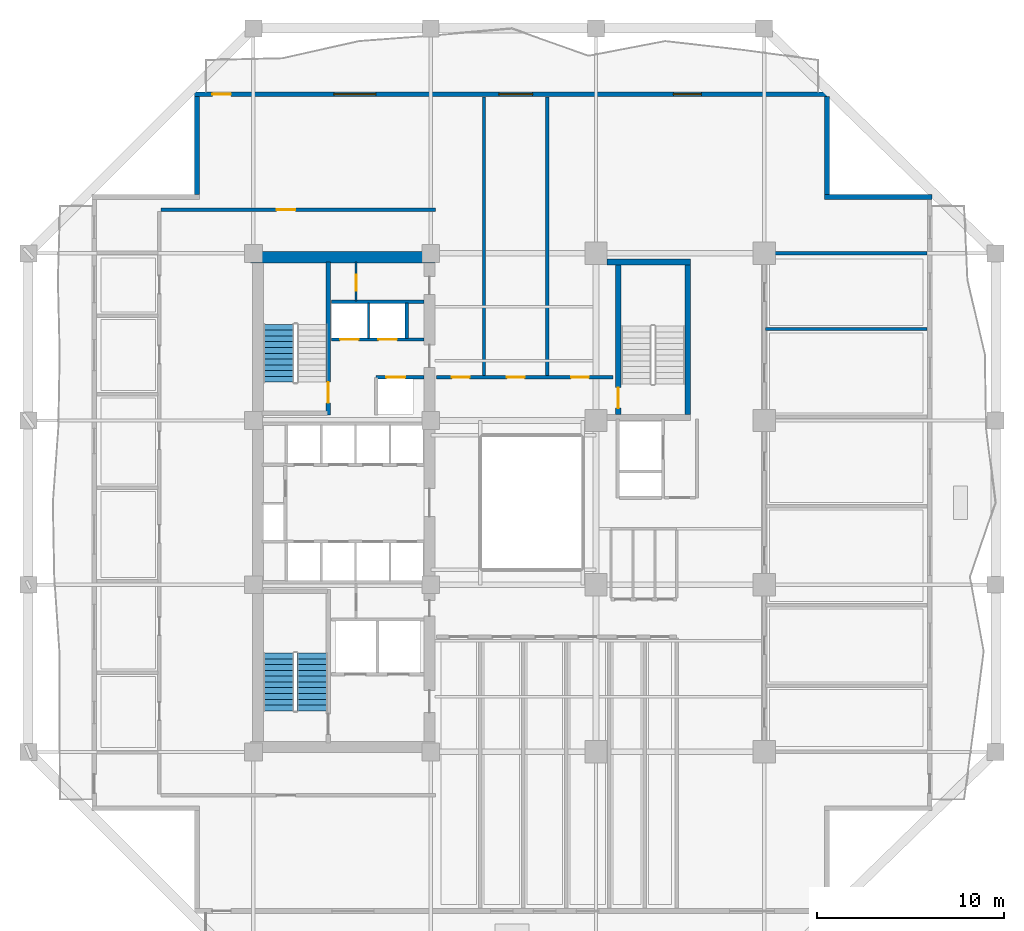
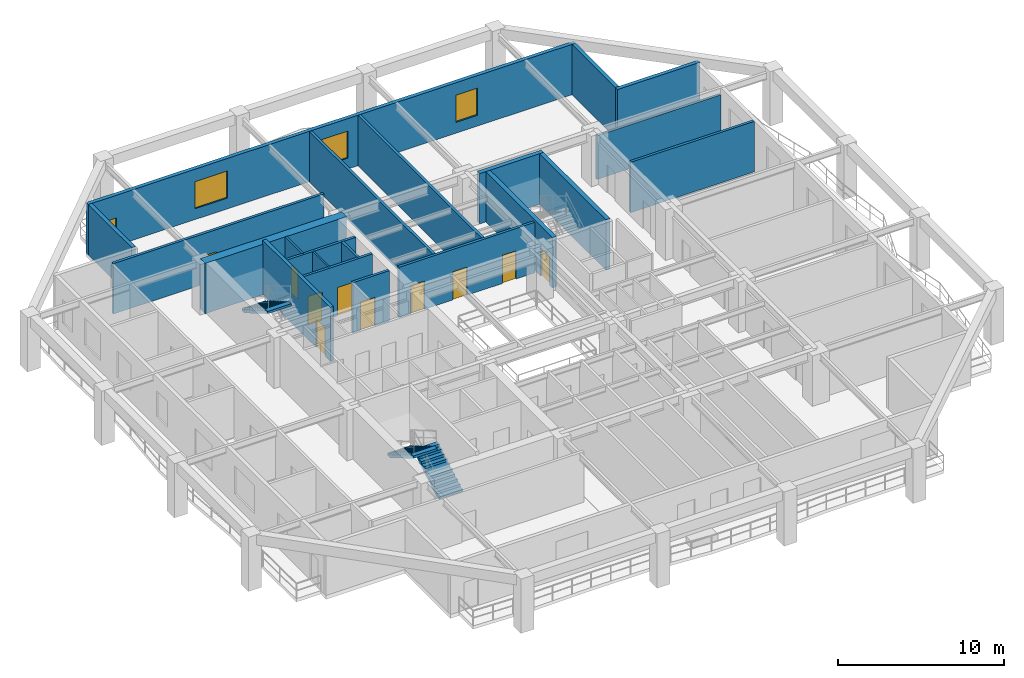
# One storey, part 6 of 14: 21 walls, 11 doors, 3 stair flights, 3 windows, 14 openings, 2 elements without a shape of their own.
"""IFC4 building model written with IfcOpenShell, lengths in metres."""

from ifc_helpers import new_model, si_unit, direction, frame, frame_2d, origin, place, context, subcontext, project, spatial, polyline, rectangle, outline, extrude, material, layer, layer_set, type_object, element, fill, aggregate, save


model = new_model("IFC4")

# Units and contexts
model_context = context("Model", 3, precision=1e-05, world=origin(), true_north=direction((0.0, 1.0)))
body_context = subcontext(model_context, "Body", "Model", "MODEL_VIEW")
ifc_project = project(units=[si_unit("LENGTHUNIT", "METRE"), si_unit("AREAUNIT", "SQUARE_METRE"), si_unit("VOLUMEUNIT", "CUBIC_METRE"), si_unit("PLANEANGLEUNIT", "RADIAN"), si_unit("MASSUNIT", "GRAM", prefix="KILO")], contexts=[model_context])

# Site, building, storey
site_placement = place(None, origin())
site = spatial("IfcSite", under=ifc_project, at=site_placement, CompositionType="ELEMENT")
building_placement = place(site_placement, origin())
building = spatial("IfcBuilding", under=site, at=building_placement, Name="Kundavana Baori Tower", CompositionType="ELEMENT")
storey_placement = place(building_placement, frame((0.0, 0.0, 74.0)))
storey = spatial("IfcBuildingStorey", under=building, at=storey_placement, Name="L17", CompositionType="ELEMENT", Elevation=74.0)

# Wall, opening, door
ifc_material_1 = material(Name="Concrete C50/60", Category="concrete")
ifc_layer_1 = layer(ifc_material_1, 0.39990234375, Name="WL-CORE-400")
ifc_layer_set_1 = layer_set([ifc_layer_1], Name="Concrete C50/60")
wall_type_1 = type_object("IfcWallType", Name="WL-CORE-400", PredefinedType="SHEAR", material=ifc_layer_set_1)
wall_1_placement = place(storey_placement, frame((19.4599609375, 33.300048828125, 0.0), z_axis=(0.0, 0.0, 1.0), x_axis=(0.0, 1.0, 0.0)))
wall_1 = element("IfcWall", 1, at=wall_1_placement, inside=storey, type_object=wall_type_1, Name="WL-L17-ST2-E", PredefinedType="SHEAR", context=body_context, shape_type="SweptSolid", body=[
    extrude(rectangle(XDim=8.179931640625, YDim=0.239990234375, at=frame_2d((4.08984375, 0.0))), origin(), (0.0, 0.0, 1.0), 4.0),
])
opening_1_placement = place(wall_1_placement, frame((0.64990234375, 0.0, 0.0)))
opening_1 = element("IfcOpeningElement", 2, at=opening_1_placement, cuts=wall_1, Name="Opening FD-110", PredefinedType="OPENING", context=body_context, shape_type="SweptSolid", body=[
    extrude(rectangle(XDim=1.10009765625, YDim=2.10009765625, at=frame_2d((0.550048828125, 1.050048828125))), frame((0.0, 0.1298828125, 0.0), z_axis=(0.0, -1.0, 0.0), x_axis=(1.0, 0.0, 0.0)), (0.0, 0.0, 1.0), 0.260009765625),
])
ifc_material_2 = material(Name="Galvanised Steel Fire-Rated Door Leaf", Category="steel")
door_type_1 = type_object("IfcDoorType", Name="DR-FD120-1100", OperationType="NOTDEFINED", PredefinedType="DOOR", material=ifc_material_2)
door_1_placement = place(opening_1_placement, origin())
door_1 = element("IfcDoor", 3, at=door_1_placement, inside=storey, type_object=door_type_1, Name="DR-L17-ST2", OperationType="SINGLE_SWING_RIGHT", OverallHeight=2.10009765625, OverallWidth=1.10009765625, PredefinedType="DOOR", context=body_context, shape_type="SweptSolid", body=[
    extrude(rectangle(XDim=1.10009765625, YDim=2.10009765625, at=frame_2d((0.550048828125, 1.050048828125))), frame((0.0, 0.02490234375, 0.0), z_axis=(0.0, -1.0, 0.0), x_axis=(1.0, 0.0, 0.0)), (0.0, 0.0, 1.0), 0.050048828125),
])
fill(opening_1, door_1)

# Walls
ifc_material_3 = material(Name="Concrete C60/75", Category="concrete")
ifc_layer_2 = layer(ifc_material_3, 0.60009765625, Name="WL-CORE-600")
ifc_layer_set_2 = layer_set([ifc_layer_2], Name="Concrete C60/75")
wall_type_2 = type_object("IfcWallType", Name="WL-CORE-600", PredefinedType="SHEAR", material=ifc_layer_set_2)
wall_2_placement = place(storey_placement, frame((15.300048828125, 41.739990234375, 0.0), z_axis=(0.0, 0.0, 1.0), x_axis=(1.0, 0.0, 0.0)))
element("IfcWall", 4, at=wall_2_placement, inside=storey, type_object=wall_type_2, Name="L17 Offset Core North Shear Wall", PredefinedType="SHEAR", context=body_context, shape_type="SweptSolid", body=[
    extrude(rectangle(XDim=9.8798828125, YDim=0.60009765625, at=frame_2d((4.93994140625, 0.0))), origin(), (0.0, 0.0, 1.0), 3.719970703125),
])
ifc_material_4 = material(Name="Kiln-Fired Terracotta Brick-Slip Masonry on Concrete C40/50", Category="masonry")
ifc_layer_3 = layer(ifc_material_4, 0.260009765625, Name="WL-EXT-BRK-260")
ifc_layer_set_3 = layer_set([ifc_layer_3], Name="Kiln-Fired Terracotta Brick-Slip Masonry on Concrete C40/50")
wall_type_3 = type_object("IfcWallType", Name="WL-EXT-BRK-260", PredefinedType="SOLIDWALL", material=ifc_layer_set_3)
wall_3_placement = place(storey_placement, frame((51.800048828125, 44.969970703125, 0.0), z_axis=(0.0, 0.0, 1.0), x_axis=(-1.0, 0.0, 0.0)))
element("IfcWall", 5, at=wall_3_placement, inside=storey, type_object=wall_type_3, Name="L17 Exterior Insulated Facade Wall 05", PredefinedType="SOLIDWALL", context=body_context, shape_type="SweptSolid", body=[
    extrude(rectangle(XDim=5.760009765625, YDim=0.260009765625, at=frame_2d((2.8798828125, 0.0))), origin(), (0.0, 0.0, 1.0), 3.719970703125),
])
wall_4_placement = place(storey_placement, frame((46.169921875, 45.10009765625, 0.0), z_axis=(0.0, 0.0, 1.0), x_axis=(0.0, 1.0, 0.0)))
element("IfcWall", 6, at=wall_4_placement, inside=storey, type_object=wall_type_3, Name="L17 Exterior Insulated Facade Wall 06", PredefinedType="SOLIDWALL", context=body_context, shape_type="SweptSolid", body=[
    extrude(rectangle(XDim=5.239990234375, YDim=0.260009765625, at=frame_2d((2.6201171875, 0.0))), origin(), (0.0, 0.0, 1.0), 3.719970703125),
])

# Wall, openings, door, windows
wall_5_placement = place(storey_placement, frame((46.300048828125, 50.469970703125, 0.0), z_axis=(0.0, 0.0, 1.0), x_axis=(-1.0, 0.0, 0.0)))
wall_5 = element("IfcWall", 7, at=wall_5_placement, inside=storey, type_object=wall_type_3, Name="L17 Exterior Insulated Facade Wall 07", PredefinedType="SOLIDWALL", context=body_context, shape_type="SweptSolid", body=[
    extrude(rectangle(XDim=34.0, YDim=0.260009765625, at=frame_2d((17.0, 0.0))), origin(), (0.0, 0.0, 1.0), 3.719970703125),
])
opening_2_placement = place(wall_5_placement, frame((32.050048828125, 0.0, 0.0)))
opening_2 = element("IfcOpeningElement", 8, at=opening_2_placement, cuts=wall_5, Name="Opening BD-1", PredefinedType="OPENING", context=body_context, shape_type="SweptSolid", body=[
    extrude(rectangle(XDim=1.0, YDim=2.050048828125, at=frame_2d((0.5, 1.02490234375))), frame((0.0, 0.14013671875, 0.0), z_axis=(0.0, -1.0, 0.0), x_axis=(1.0, 0.0, 0.0)), (0.0, 0.0, 1.0), 0.280029296875),
])
opening_3_placement = place(wall_5_placement, frame((24.294921875, 0.0, 0.800048828125)))
opening_3 = element("IfcOpeningElement", 9, at=opening_3_placement, cuts=wall_5, Name="Opening W-10", PredefinedType="OPENING", context=body_context, shape_type="SweptSolid", body=[
    extrude(rectangle(XDim=2.25, YDim=2.0, at=frame_2d((1.125, 1.0))), frame((0.0, 0.14013671875, 0.0), z_axis=(0.0, -1.0, 0.0), x_axis=(1.0, 0.0, 0.0)), (0.0, 0.0, 1.0), 0.280029296875),
])
opening_4_placement = place(wall_5_placement, frame((15.89990234375, 0.0, 0.800048828125)))
opening_4 = element("IfcOpeningElement", 10, at=opening_4_placement, cuts=wall_5, Name="Opening W-01", PredefinedType="OPENING", context=body_context, shape_type="SweptSolid", body=[
    extrude(rectangle(XDim=1.800048828125, YDim=2.0, at=frame_2d((0.89990234375, 1.0))), frame((0.0, 0.14013671875, 0.0), z_axis=(0.0, -1.0, 0.0), x_axis=(1.0, 0.0, 0.0)), (0.0, 0.0, 1.0), 0.280029296875),
])
opening_5_placement = place(wall_5_placement, frame((6.85498046875, 0.0, 0.800048828125)))
opening_5 = element("IfcOpeningElement", 11, at=opening_5_placement, cuts=wall_5, Name="Opening W-02", PredefinedType="OPENING", context=body_context, shape_type="SweptSolid", body=[
    extrude(rectangle(XDim=1.5, YDim=2.0, at=frame_2d((0.75, 1.0))), frame((0.0, 0.14013671875, 0.0), z_axis=(0.0, -1.0, 0.0), x_axis=(1.0, 0.0, 0.0)), (0.0, 0.0, 1.0), 0.280029296875),
])
ifc_material_5 = material(Name="Architectural Patinated Bronze Metalwork")
door_type_2 = type_object("IfcDoorType", Name="DR-EXT-LOG-1000", OperationType="NOTDEFINED", PredefinedType="DOOR", material=ifc_material_5)
door_2_placement = place(opening_2_placement, frame((1.0, 0.0, 0.0), z_axis=(0.0, 0.0, 1.0), x_axis=(-1.0, 0.0, 0.0)))
door_2 = element("IfcDoor", 12, at=door_2_placement, inside=storey, type_object=door_type_2, Name="L17 Loggia Balcony Access Door N", OperationType="SINGLE_SWING_LEFT", OverallHeight=2.050048828125, OverallWidth=1.0, PredefinedType="DOOR", context=body_context, shape_type="SweptSolid", body=[
    extrude(rectangle(XDim=1.0, YDim=2.050048828125, at=frame_2d((0.5, 1.02490234375))), frame((0.0, 0.02490234375, 0.0), z_axis=(0.0, -1.0, 0.0), x_axis=(1.0, 0.0, 0.0)), (0.0, 0.0, 1.0), 0.050048828125),
])
fill(opening_2, door_2)
ifc_material_6 = material(Name="Double-Glazed Solar-Control Low-E Insulated Glass", Category="glass")
window_type_1 = type_object("IfcWindowType", Name="WIN-LOG-1500x2000", PartitioningType="SINGLE_PANEL", PredefinedType="WINDOW", material=ifc_material_6)
window_1_placement = place(opening_5_placement, origin())
window_1 = element("IfcWindow", 13, at=window_1_placement, inside=storey, type_object=window_type_1, Name="L17 Recessed Loggia Window N-3", OverallHeight=2.0, OverallWidth=1.5, PartitioningType="SINGLE_PANEL", PredefinedType="WINDOW", context=body_context, shape_type="SweptSolid", body=[
    extrude(rectangle(XDim=1.5, YDim=2.0, at=frame_2d((0.75, 1.0))), frame((0.0, 0.030029296875, 0.0), z_axis=(0.0, -1.0, 0.0), x_axis=(1.0, 0.0, 0.0)), (0.0, 0.0, 1.0), 0.06005859375),
])
fill(opening_5, window_1)
ifc_material_7 = material(Name="Double-Glazed Solar-Control Low-E Insulated Glass", Category="glass")
window_type_2 = type_object("IfcWindowType", Name="WIN-LOG-1800x2000", PartitioningType="SINGLE_PANEL", PredefinedType="WINDOW", material=ifc_material_7)
window_2_placement = place(opening_4_placement, origin())
window_2 = element("IfcWindow", 14, at=window_2_placement, inside=storey, type_object=window_type_2, Name="L17 Recessed Loggia Window N-2", OverallHeight=2.0, OverallWidth=1.800048828125, PartitioningType="SINGLE_PANEL", PredefinedType="WINDOW", context=body_context, shape_type="SweptSolid", body=[
    extrude(rectangle(XDim=1.800048828125, YDim=2.0, at=frame_2d((0.89990234375, 1.0))), frame((0.0, 0.030029296875, 0.0), z_axis=(0.0, -1.0, 0.0), x_axis=(1.0, 0.0, 0.0)), (0.0, 0.0, 1.0), 0.06005859375),
])
fill(opening_4, window_2)
ifc_material_8 = material(Name="Double-Glazed Solar-Control Low-E Insulated Glass", Category="glass")
window_type_3 = type_object("IfcWindowType", Name="WIN-LOG-2250x2000", PartitioningType="SINGLE_PANEL", PredefinedType="WINDOW", material=ifc_material_8)
window_3_placement = place(opening_3_placement, origin())
window_3 = element("IfcWindow", 15, at=window_3_placement, inside=storey, type_object=window_type_3, Name="L17 Recessed Loggia Window N-1", OverallHeight=2.0, OverallWidth=2.25, PartitioningType="SINGLE_PANEL", PredefinedType="WINDOW", context=body_context, shape_type="SweptSolid", body=[
    extrude(rectangle(XDim=2.25, YDim=2.0, at=frame_2d((1.125, 1.0))), frame((0.0, 0.030029296875, 0.0), z_axis=(0.0, -1.0, 0.0), x_axis=(1.0, 0.0, 0.0)), (0.0, 0.0, 1.0), 0.06005859375),
])
fill(opening_3, window_3)

# Walls
wall_6_placement = place(storey_placement, frame((12.429931640625, 50.340087890625, 0.0), z_axis=(0.0, 0.0, 1.0), x_axis=(0.0, -1.0, 0.0)))
element("IfcWall", 16, at=wall_6_placement, inside=storey, type_object=wall_type_3, Name="L17 Exterior Insulated Facade Wall 08", PredefinedType="SOLIDWALL", context=body_context, shape_type="SweptSolid", body=[
    extrude(rectangle(XDim=5.239990234375, YDim=0.260009765625, at=frame_2d((2.6201171875, 0.0))), origin(), (0.0, 0.0, 1.0), 3.719970703125),
])
ifc_material_9 = material(Name="Acoustic Gypsum Plasterboard on Galvanised Steel Studs", Category="steel")
ifc_layer_4 = layer(ifc_material_9, 0.1201171875, Name="WL-PART-120")
ifc_layer_set_4 = layer_set([ifc_layer_4], Name="Acoustic Gypsum Plasterboard on Galvanised Steel Studs")
wall_type_4 = type_object("IfcWallType", Name="WL-PART-120", PredefinedType="PARTITIONING", material=ifc_layer_set_4)
wall_7_placement = place(storey_placement, frame((21.6201171875, 37.39990234375, 0.0), z_axis=(0.0, 0.0, 1.0), x_axis=(0.0, 1.0, 0.0)))
element("IfcWall", 17, at=wall_7_placement, inside=storey, type_object=wall_type_4, Name="WL-L17-HR-DIV1", PredefinedType="PARTITIONING", context=body_context, shape_type="SweptSolid", body=[
    extrude(rectangle(XDim=1.900146484375, YDim=0.1201171875, at=frame_2d((0.9501953125, 0.0))), origin(), (0.0, 0.0, 1.0), 3.719970703125),
])

# Wall, opening, door
wall_8_placement = place(storey_placement, frame((20.949951171875, 39.39990234375, 0.0), z_axis=(0.0, 0.0, 1.0), x_axis=(0.0, 1.0, 0.0)))
wall_8 = element("IfcWall", 18, at=wall_8_placement, inside=storey, type_object=wall_type_4, Name="WL-L17-CSRV-D2", PredefinedType="PARTITIONING", context=body_context, shape_type="SweptSolid", body=[
    extrude(rectangle(XDim=2.080078125, YDim=0.1201171875, at=frame_2d((1.0400390625, 0.0))), origin(), (0.0, 0.0, 1.0), 3.719970703125),
])
opening_6_placement = place(wall_8_placement, frame((0.550048828125, 0.0, 0.0)))
opening_6 = element("IfcOpeningElement", 19, at=opening_6_placement, cuts=wall_8, Name="Opening FD-085", PredefinedType="OPENING", context=body_context, shape_type="SweptSolid", body=[
    extrude(rectangle(XDim=0.85009765625, YDim=2.06005859375, at=frame_2d((0.425048828125, 1.030029296875))), frame((0.0, 0.070068359375, 0.0), z_axis=(0.0, -1.0, 0.0), x_axis=(1.0, 0.0, 0.0)), (0.0, 0.0, 1.0), 0.14013671875),
])
ifc_material_10 = material(Name="Galvanised Steel Fire-Rated Door Leaf", Category="steel")
door_type_3 = type_object("IfcDoorType", Name="DR-FD60-850", OperationType="NOTDEFINED", PredefinedType="DOOR", material=ifc_material_10)
door_3_placement = place(opening_6_placement, origin())
door_3 = element("IfcDoor", 20, at=door_3_placement, inside=storey, type_object=door_type_3, Name="DR-L17-CSRV1", OperationType="SINGLE_SWING_RIGHT", OverallHeight=2.06005859375, OverallWidth=0.85009765625, PredefinedType="DOOR", context=body_context, shape_type="SweptSolid", body=[
    extrude(rectangle(XDim=0.85009765625, YDim=2.06005859375, at=frame_2d((0.425048828125, 1.030029296875))), frame((0.0, 0.02490234375, 0.0), z_axis=(0.0, -1.0, 0.0), x_axis=(1.0, 0.0, 0.0)), (0.0, 0.0, 1.0), 0.050048828125),
])
fill(opening_6, door_3)

# Wall, openings, doors
ifc_material_11 = material(Name="Autoclaved Aerated Concrete Blockwork Masonry", Category="masonry")
ifc_layer_5 = layer(ifc_material_11, 0.18505859375, Name="WL-PART-180")
ifc_layer_set_5 = layer_set([ifc_layer_5], Name="Autoclaved Aerated Concrete Blockwork Masonry")
wall_type_5 = type_object("IfcWallType", Name="WL-PART-180", PredefinedType="SOLIDWALL", material=ifc_layer_set_5)
wall_9_placement = place(storey_placement, frame((25.25, 35.320068359375, 0.0), z_axis=(0.0, 0.0, 1.0), x_axis=(1.0, 0.0, 0.0)))
wall_9 = element("IfcWall", 21, at=wall_9_placement, inside=storey, type_object=wall_type_5, Name="WL-L17-OFN", PredefinedType="SOLIDWALL", context=body_context, shape_type="SweptSolid", body=[
    extrude(rectangle(XDim=9.469970703125, YDim=0.18505859375, at=frame_2d((4.73486328125, 0.0))), origin(), (0.0, 0.0, 1.0), 3.719970703125),
])
opening_7_placement = place(wall_9_placement, frame((0.824951171875, 0.0, 0.0)))
opening_7 = element("IfcOpeningElement", 22, at=opening_7_placement, cuts=wall_9, Name="Opening ID-095", PredefinedType="OPENING", context=body_context, shape_type="SweptSolid", body=[
    extrude(rectangle(XDim=0.949951171875, YDim=2.080078125, at=frame_2d((0.47509765625, 1.0400390625))), frame((0.0, 0.1025390625, 0.0), z_axis=(0.0, -1.0, 0.0), x_axis=(1.0, 0.0, 0.0)), (0.0, 0.0, 1.0), 0.205078125),
])
opening_8_placement = place(wall_9_placement, frame((3.77490234375, 0.0, 0.0)))
opening_8 = element("IfcOpeningElement", 23, at=opening_8_placement, cuts=wall_9, Name="Opening ID-095", PredefinedType="OPENING", context=body_context, shape_type="SweptSolid", body=[
    extrude(rectangle(XDim=0.949951171875, YDim=2.080078125, at=frame_2d((0.47509765625, 1.0400390625))), frame((0.0, 0.1025390625, 0.0), z_axis=(0.0, -1.0, 0.0), x_axis=(1.0, 0.0, 0.0)), (0.0, 0.0, 1.0), 0.205078125),
])
opening_9_placement = place(wall_9_placement, frame((7.215087890625, 0.0, 0.0)))
opening_9 = element("IfcOpeningElement", 24, at=opening_9_placement, cuts=wall_9, Name="Opening ID-095", PredefinedType="OPENING", context=body_context, shape_type="SweptSolid", body=[
    extrude(rectangle(XDim=0.949951171875, YDim=2.080078125, at=frame_2d((0.47509765625, 1.0400390625))), frame((0.0, 0.1025390625, 0.0), z_axis=(0.0, -1.0, 0.0), x_axis=(1.0, 0.0, 0.0)), (0.0, 0.0, 1.0), 0.205078125),
])
ifc_material_12 = material(Name="Engineered Teak Solid-Core Timber Veneer", Category="wood")
door_type_4 = type_object("IfcDoorType", Name="DR-INT-950", OperationType="NOTDEFINED", PredefinedType="DOOR", material=ifc_material_12)
door_4_placement = place(opening_7_placement, origin())
door_4 = element("IfcDoor", 25, at=door_4_placement, inside=storey, type_object=door_type_4, Name="DR-L17-OFN1", OperationType="SINGLE_SWING_LEFT", OverallHeight=2.080078125, OverallWidth=0.949951171875, PredefinedType="DOOR", context=body_context, shape_type="SweptSolid", body=[
    extrude(rectangle(XDim=0.949951171875, YDim=2.080078125, at=frame_2d((0.47509765625, 1.0400390625))), frame((0.0, 0.02490234375, 0.0), z_axis=(0.0, -1.0, 0.0), x_axis=(1.0, 0.0, 0.0)), (0.0, 0.0, 1.0), 0.050048828125),
])
fill(opening_7, door_4)
door_5_placement = place(opening_8_placement, origin())
door_5 = element("IfcDoor", 26, at=door_5_placement, inside=storey, type_object=door_type_4, Name="DR-L17-OFN2", OperationType="SINGLE_SWING_LEFT", OverallHeight=2.080078125, OverallWidth=0.949951171875, PredefinedType="DOOR", context=body_context, shape_type="SweptSolid", body=[
    extrude(rectangle(XDim=0.949951171875, YDim=2.080078125, at=frame_2d((0.47509765625, 1.0400390625))), frame((0.0, 0.02490234375, 0.0), z_axis=(0.0, -1.0, 0.0), x_axis=(1.0, 0.0, 0.0)), (0.0, 0.0, 1.0), 0.050048828125),
])
fill(opening_8, door_5)
door_6_placement = place(opening_9_placement, origin())
door_6 = element("IfcDoor", 27, at=door_6_placement, inside=storey, type_object=door_type_4, Name="DR-L17-OFN3", OperationType="SINGLE_SWING_LEFT", OverallHeight=2.080078125, OverallWidth=0.949951171875, PredefinedType="DOOR", context=body_context, shape_type="SweptSolid", body=[
    extrude(rectangle(XDim=0.949951171875, YDim=2.080078125, at=frame_2d((0.47509765625, 1.0400390625))), frame((0.0, 0.02490234375, 0.0), z_axis=(0.0, -1.0, 0.0), x_axis=(1.0, 0.0, 0.0)), (0.0, 0.0, 1.0), 0.050048828125),
])
fill(opening_9, door_6)

# Wall
wall_10_placement = place(storey_placement, frame((42.8798828125, 41.949951171875, 0.0), z_axis=(0.0, 0.0, 1.0), x_axis=(1.0, 0.0, 0.0)))
element("IfcWall", 28, at=wall_10_placement, inside=storey, type_object=wall_type_5, Name="WL-L17-OFEN", PredefinedType="SOLIDWALL", context=body_context, shape_type="SweptSolid", body=[
    extrude(rectangle(XDim=8.64013671875, YDim=0.18505859375, at=frame_2d((4.320068359375, 0.0))), origin(), (0.0, 0.0, 1.0), 3.219970703125),
])

# Wall, opening, door
wall_11_placement = place(storey_placement, frame((10.5, 44.280029296875, 0.0), z_axis=(0.0, 0.0, 1.0), x_axis=(1.0, 0.0, 0.0)))
wall_11 = element("IfcWall", 29, at=wall_11_placement, inside=storey, type_object=wall_type_5, Name="WL-L17-ONC", PredefinedType="SOLIDWALL", context=body_context, shape_type="SweptSolid", body=[
    extrude(rectangle(XDim=14.699951171875, YDim=0.18505859375, at=frame_2d((7.35009765625, 0.0))), origin(), (0.0, 0.0, 1.0), 3.719970703125),
])
opening_10_placement = place(wall_11_placement, frame((6.199951171875, 0.0, 0.0)))
opening_10 = element("IfcOpeningElement", 30, at=opening_10_placement, cuts=wall_11, Name="Opening ID-100", PredefinedType="OPENING", context=body_context, shape_type="SweptSolid", body=[
    extrude(rectangle(XDim=1.0, YDim=2.080078125, at=frame_2d((0.5, 1.0400390625))), frame((0.0, 0.1025390625, 0.0), z_axis=(0.0, -1.0, 0.0), x_axis=(1.0, 0.0, 0.0)), (0.0, 0.0, 1.0), 0.205078125),
])
ifc_material_13 = material(Name="Engineered Teak Solid-Core Timber Veneer", Category="wood")
door_type_5 = type_object("IfcDoorType", Name="DR-INT-1000", OperationType="NOTDEFINED", PredefinedType="DOOR", material=ifc_material_13)
door_7_placement = place(opening_10_placement, origin())
door_7 = element("IfcDoor", 31, at=door_7_placement, inside=storey, type_object=door_type_5, Name="DR-L17-ONWC", OperationType="SINGLE_SWING_RIGHT", OverallHeight=2.080078125, OverallWidth=1.0, PredefinedType="DOOR", context=body_context, shape_type="SweptSolid", body=[
    extrude(rectangle(XDim=1.0, YDim=2.080078125, at=frame_2d((0.5, 1.0400390625))), frame((0.0, 0.02490234375, 0.0), z_axis=(0.0, -1.0, 0.0), x_axis=(1.0, 0.0, 0.0)), (0.0, 0.0, 1.0), 0.050048828125),
])
fill(opening_10, door_7)

# Walls
wall_12_placement = place(storey_placement, frame((42.8798828125, 37.89990234375, 0.0), z_axis=(0.0, 0.0, 1.0), x_axis=(1.0, 0.0, 0.0)))
element("IfcWall", 32, at=wall_12_placement, inside=storey, type_object=wall_type_5, Name="WL-L17-ED5", PredefinedType="SOLIDWALL", context=body_context, shape_type="SweptSolid", body=[
    extrude(rectangle(XDim=8.64013671875, YDim=0.18505859375, at=frame_2d((4.320068359375, 0.0))), origin(), (0.0, 0.0, 1.0), 3.719970703125),
])
for number, where, z_axis, x_axis, name in (
    (33, (27.800048828125, 35.39990234375, 0.0), (0.0, 0.0, 1.0), (0.0, 1.0, 0.0), "WL-L17-ND1"),
    (34, (31.199951171875, 35.39990234375, 0.0), (0.0, 0.0, 1.0), (0.0, 1.0, 0.0), "WL-L17-ND2"),
):
    element("IfcWall", number, at=place(storey_placement, frame(where, z_axis=z_axis, x_axis=x_axis)), inside=storey, type_object=wall_type_5, Name=name, PredefinedType="SOLIDWALL", context=body_context, shape_type="SweptSolid", body=[
        extrude(rectangle(XDim=14.920166015625, YDim=0.18505859375, at=frame_2d((7.4599609375, 0.0))), origin(), (0.0, 0.0, 1.0), 3.719970703125),
    ])

# Wall, opening, door
ifc_material_14 = material(Name="Autoclaved Aerated Concrete Blockwork Masonry", Category="masonry")
ifc_layer_6 = layer(ifc_material_14, 0.179931640625, Name="WL-SHAFT-180")
ifc_layer_set_6 = layer_set([ifc_layer_6], Name="Autoclaved Aerated Concrete Blockwork Masonry")
wall_type_6 = type_object("IfcWallType", Name="WL-SHAFT-180", PredefinedType="SOLIDWALL", material=ifc_layer_set_6)
wall_13_placement = place(storey_placement, frame((22.02001953125, 35.31005859375, 0.0), z_axis=(0.0, 0.0, 1.0), x_axis=(1.0, 0.0, 0.0)))
wall_13 = element("IfcWall", 35, at=wall_13_placement, inside=storey, type_object=wall_type_6, Name="WL-L17-LP11-N", PredefinedType="SOLIDWALL", context=body_context, shape_type="SweptSolid", body=[
    extrude(rectangle(XDim=2.56005859375, YDim=0.179931640625, at=frame_2d((1.280029296875, 0.0))), origin(), (0.0, 0.0, 1.0), 3.719970703125),
])
opening_11_placement = place(wall_13_placement, frame((0.550048828125, 0.0, 0.0)))
opening_11 = element("IfcOpeningElement", 36, at=opening_11_placement, cuts=wall_13, Name="Opening LD-100", PredefinedType="OPENING", context=body_context, shape_type="SweptSolid", body=[
    extrude(rectangle(XDim=1.0, YDim=2.10009765625, at=frame_2d((0.5, 1.050048828125))), frame((0.0, 0.10009765625, 0.0), z_axis=(0.0, -1.0, 0.0), x_axis=(1.0, 0.0, 0.0)), (0.0, 0.0, 1.0), 0.199951171875),
])
ifc_material_15 = material(Name="Galvanised Steel Fire-Rated Door Leaf", Category="steel")
door_type_6 = type_object("IfcDoorType", Name="DR-SLIDE-LD1000", OperationType="NOTDEFINED", PredefinedType="DOOR", material=ifc_material_15)
door_8_placement = place(opening_11_placement, origin())
door_8 = element("IfcDoor", 37, at=door_8_placement, inside=storey, type_object=door_type_6, Name="DR-L17-LD-LP11", OperationType="DOUBLE_DOOR_SLIDING", OverallHeight=2.10009765625, OverallWidth=1.0, PredefinedType="DOOR", context=body_context, shape_type="SweptSolid", body=[
    extrude(rectangle(XDim=1.0, YDim=2.10009765625, at=frame_2d((0.5, 1.050048828125))), frame((0.0, 0.02490234375, 0.0), z_axis=(0.0, -1.0, 0.0), x_axis=(1.0, 0.0, 0.0)), (0.0, 0.0, 1.0), 0.050048828125),
])
fill(opening_11, door_8)

# Wall, openings, doors
wall_14_placement = place(storey_placement, frame((19.639892578125, 37.340087890625, 0.0), z_axis=(0.0, 0.0, 1.0), x_axis=(1.0, 0.0, 0.0)))
wall_14 = element("IfcWall", 38, at=wall_14_placement, inside=storey, type_object=wall_type_6, Name="WL-L17-HRLOB-N", PredefinedType="SOLIDWALL", context=body_context, shape_type="SweptSolid", body=[
    extrude(rectangle(XDim=4.940185546875, YDim=0.179931640625, at=frame_2d((2.47021484375, 0.0))), origin(), (0.0, 0.0, 1.0), 3.719970703125),
])
opening_12_placement = place(wall_14_placement, frame((0.449951171875, 0.0, 0.0)))
opening_12 = element("IfcOpeningElement", 39, at=opening_12_placement, cuts=wall_14, Name="Opening LD-100", PredefinedType="OPENING", context=body_context, shape_type="SweptSolid", body=[
    extrude(rectangle(XDim=1.0, YDim=2.10009765625, at=frame_2d((0.5, 1.050048828125))), frame((0.0, 0.10009765625, 0.0), z_axis=(0.0, -1.0, 0.0), x_axis=(1.0, 0.0, 0.0)), (0.0, 0.0, 1.0), 0.199951171875),
])
opening_13_placement = place(wall_14_placement, frame((2.5, 0.0, 0.0)))
opening_13 = element("IfcOpeningElement", 40, at=opening_13_placement, cuts=wall_14, Name="Opening LD-100", PredefinedType="OPENING", context=body_context, shape_type="SweptSolid", body=[
    extrude(rectangle(XDim=1.0, YDim=2.10009765625, at=frame_2d((0.5, 1.050048828125))), frame((0.0, 0.10009765625, 0.0), z_axis=(0.0, -1.0, 0.0), x_axis=(1.0, 0.0, 0.0)), (0.0, 0.0, 1.0), 0.199951171875),
])
door_9_placement = place(opening_12_placement, frame((1.0, 0.0, 0.0), z_axis=(0.0, 0.0, 1.0), x_axis=(-1.0, 0.0, 0.0)))
door_9 = element("IfcDoor", 41, at=door_9_placement, inside=storey, type_object=door_type_6, Name="DR-L17-LD-LP09", OperationType="DOUBLE_DOOR_SLIDING", OverallHeight=2.10009765625, OverallWidth=1.0, PredefinedType="DOOR", context=body_context, shape_type="SweptSolid", body=[
    extrude(rectangle(XDim=1.0, YDim=2.10009765625, at=frame_2d((0.5, 1.050048828125))), frame((0.0, 0.02490234375, 0.0), z_axis=(0.0, -1.0, 0.0), x_axis=(1.0, 0.0, 0.0)), (0.0, 0.0, 1.0), 0.050048828125),
])
fill(opening_12, door_9)
door_10_placement = place(opening_13_placement, frame((1.0, 0.0, 0.0), z_axis=(0.0, 0.0, 1.0), x_axis=(-1.0, 0.0, 0.0)))
door_10 = element("IfcDoor", 42, at=door_10_placement, inside=storey, type_object=door_type_6, Name="DR-L17-LD-LP10", OperationType="DOUBLE_DOOR_SLIDING", OverallHeight=2.10009765625, OverallWidth=1.0, PredefinedType="DOOR", context=body_context, shape_type="SweptSolid", body=[
    extrude(rectangle(XDim=1.0, YDim=2.10009765625, at=frame_2d((0.5, 1.050048828125))), frame((0.0, 0.02490234375, 0.0), z_axis=(0.0, -1.0, 0.0), x_axis=(1.0, 0.0, 0.0)), (0.0, 0.0, 1.0), 0.050048828125),
])
fill(opening_13, door_10)

# Walls
wall_15_placement = place(storey_placement, frame((19.639892578125, 39.360107421875, 0.0), z_axis=(0.0, 0.0, 1.0), x_axis=(1.0, 0.0, 0.0)))
element("IfcWall", 43, at=wall_15_placement, inside=storey, type_object=wall_type_6, Name="WL-L17-HRLOB-TOP", PredefinedType="SOLIDWALL", context=body_context, shape_type="SweptSolid", body=[
    extrude(rectangle(XDim=4.940185546875, YDim=0.179931640625, at=frame_2d((2.47021484375, 0.0))), origin(), (0.0, 0.0, 1.0), 3.719970703125),
])
wall_16_placement = place(storey_placement, frame((23.659912109375, 37.39990234375, 0.0), z_axis=(0.0, 0.0, 1.0), x_axis=(0.0, 1.0, 0.0)))
element("IfcWall", 44, at=wall_16_placement, inside=storey, type_object=wall_type_6, Name="WL-L17-HR-DIV2", PredefinedType="SOLIDWALL", context=body_context, shape_type="SweptSolid", body=[
    extrude(rectangle(XDim=1.900146484375, YDim=0.179931640625, at=frame_2d((0.9501953125, 0.0))), origin(), (0.0, 0.0, 1.0), 3.719970703125),
])
ifc_material_16 = material(Name="Concrete C50/60", Category="concrete")
ifc_layer_7 = layer(ifc_material_16, 0.300048828125, Name="WL-ST3-300")
ifc_layer_set_7 = layer_set([ifc_layer_7], Name="Concrete C50/60")
wall_type_7 = type_object("IfcWallType", Name="WL-ST3-300", PredefinedType="SHEAR", material=ifc_layer_set_7)
wall_17_placement = place(storey_placement, frame((34.39990234375, 41.489990234375, 0.0), z_axis=(0.0, 0.0, 1.0), x_axis=(1.0, 0.0, 0.0)))
element("IfcWall", 45, at=wall_17_placement, inside=storey, type_object=wall_type_7, Name="L17 Stair ST3 North Shear Wall", PredefinedType="SHEAR", context=body_context, shape_type="SweptSolid", body=[
    extrude(rectangle(XDim=4.47021484375, YDim=0.300048828125, at=frame_2d((2.235107421875, 0.0))), origin(), (0.0, 0.0, 1.0), 3.719970703125),
])

# Wall, opening, door
wall_18_placement = place(storey_placement, frame((34.97998046875, 33.31005859375, 0.0), z_axis=(0.0, 0.0, 1.0), x_axis=(0.0, 1.0, 0.0)))
wall_18 = element("IfcWall", 46, at=wall_18_placement, inside=storey, type_object=wall_type_7, Name="L17 Stair ST3 West Shear Wall", PredefinedType="SHEAR", context=body_context, shape_type="SweptSolid", body=[
    extrude(rectangle(XDim=8.030029296875, YDim=0.300048828125, at=frame_2d((4.01513671875, 0.0))), origin(), (0.0, 0.0, 1.0), 3.719970703125),
])
opening_14_placement = place(wall_18_placement, frame((0.35009765625, 0.0, 0.0)))
opening_14 = element("IfcOpeningElement", 47, at=opening_14_placement, cuts=wall_18, Name="Opening FD-110", PredefinedType="OPENING", context=body_context, shape_type="SweptSolid", body=[
    extrude(rectangle(XDim=1.10009765625, YDim=2.10009765625, at=frame_2d((0.550048828125, 1.050048828125))), frame((0.0, 0.16015625, 0.0), z_axis=(0.0, -1.0, 0.0), x_axis=(1.0, 0.0, 0.0)), (0.0, 0.0, 1.0), 0.320068359375),
])
door_11_placement = place(opening_14_placement, origin())
door_11 = element("IfcDoor", 48, at=door_11_placement, inside=storey, type_object=door_type_1, Name="DR-L17-ST3-W", OperationType="SINGLE_SWING_LEFT", OverallHeight=2.10009765625, OverallWidth=1.10009765625, PredefinedType="DOOR", context=body_context, shape_type="SweptSolid", body=[
    extrude(rectangle(XDim=1.10009765625, YDim=2.10009765625, at=frame_2d((0.550048828125, 1.050048828125))), frame((0.0, 0.02490234375, 0.0), z_axis=(0.0, -1.0, 0.0), x_axis=(1.0, 0.0, 0.0)), (0.0, 0.0, 1.0), 0.050048828125),
])
fill(opening_14, door_11)

# Wall
wall_19_placement = place(storey_placement, frame((38.719970703125, 33.31005859375, 0.0), z_axis=(0.0, 0.0, 1.0), x_axis=(0.0, 1.0, 0.0)))
element("IfcWall", 49, at=wall_19_placement, inside=storey, type_object=wall_type_7, Name="L17 Stair ST3 East Shear Wall", PredefinedType="SHEAR", context=body_context, shape_type="SweptSolid", body=[
    extrude(rectangle(XDim=8.030029296875, YDim=0.300048828125, at=frame_2d((4.01513671875, 0.0))), origin(), (0.0, 0.0, 1.0), 3.719970703125),
])

# Stair, stair flights
ifc_material_17 = material(Name="Concrete C40/50", Category="concrete")
stair_type = type_object("IfcStairType", Name="STR-DOG-1650", PredefinedType="HALF_TURN_STAIR", material=ifc_material_17)
stair_1_placement = place(storey_placement, origin())
stair_1 = element("IfcStair", 50, at=stair_1_placement, inside=storey, type_object=stair_type, Name="L17 Protected Exit Stair ST1", PredefinedType="HALF_TURN_STAIR")
ifc_material_18 = material(Name="Concrete C40/50", Category="concrete")
stair_flight_type = type_object("IfcStairFlightType", Name="SFL-RC-1650", PredefinedType="STRAIGHT", material=ifc_material_18)
stair_flight_1_placement = place(storey_placement, frame((18.614990234375, 17.449951171875, 0.0), z_axis=(0.0, 0.0, 1.0), x_axis=(0.0, 1.0, 0.0)))
stair_flight_1 = element("IfcStairFlight", 51, at=stair_flight_1_placement, type_object=stair_flight_type, Name="ST1 flight 1", NumberOfRisers=11, NumberOfTreads=10, PredefinedType="STRAIGHT", RiserHeight=0.181818182, TreadLength=0.31, context=body_context, shape_type="SweptSolid", body=[
    extrude(outline(polyline([(0.0, 0.0), (0.0, 0.181884765625), (0.31005859375, 0.181884765625), (0.31005859375, 0.363525390625), (0.6201171875, 0.363525390625), (0.6201171875, 0.54541015625), (0.929931640625, 0.54541015625), (0.929931640625, 0.727294921875), (1.239990234375, 0.727294921875), (1.239990234375, 0.9091796875), (1.550048828125, 0.9091796875), (1.550048828125, 1.0908203125), (1.860107421875, 1.0908203125), (1.860107421875, 1.272705078125), (2.169921875, 1.272705078125), (2.169921875, 1.45458984375), (2.47998046875, 1.45458984375), (2.47998046875, 1.636474609375), (2.7900390625, 1.636474609375), (2.7900390625, 1.818115234375), (3.10009765625, 1.818115234375), (3.10009765625, 2.0), (3.10009765625, 1.644287109375), (0.29638671875, 0.0), (0.0, 0.0)])), frame((0.0, 0.824951171875, 0.0), z_axis=(0.0, -1.0, 0.0), x_axis=(1.0, 0.0, 0.0)), (0.0, 0.0, 1.0), 1.64990234375),
])
stair_flight_2_placement = place(storey_placement, frame((16.804931640625, 20.550048828125, 2.0), z_axis=(0.0, 0.0, 1.0), x_axis=(0.0, -1.0, 0.0)))
stair_flight_2 = element("IfcStairFlight", 52, at=stair_flight_2_placement, type_object=stair_flight_type, Name="ST1 flight 2", NumberOfRisers=11, NumberOfTreads=10, PredefinedType="STRAIGHT", RiserHeight=0.181818182, TreadLength=0.31, context=body_context, shape_type="SweptSolid", body=[
    extrude(outline(polyline([(0.0, 0.0), (0.0, 0.181884765625), (0.31005859375, 0.181884765625), (0.31005859375, 0.363525390625), (0.6201171875, 0.363525390625), (0.6201171875, 0.54541015625), (0.929931640625, 0.54541015625), (0.929931640625, 0.727294921875), (1.239990234375, 0.727294921875), (1.239990234375, 0.9091796875), (1.550048828125, 0.9091796875), (1.550048828125, 1.0908203125), (1.860107421875, 1.0908203125), (1.860107421875, 1.272705078125), (2.169921875, 1.272705078125), (2.169921875, 1.45458984375), (2.47998046875, 1.45458984375), (2.47998046875, 1.636474609375), (2.7900390625, 1.636474609375), (2.7900390625, 1.818115234375), (3.10009765625, 1.818115234375), (3.10009765625, 2.0), (3.10009765625, 1.644287109375), (0.29638671875, 0.0), (0.0, 0.0)])), frame((0.0, 0.824951171875, 0.0), z_axis=(0.0, -1.0, 0.0), x_axis=(1.0, 0.0, 0.0)), (0.0, 0.0, 1.0), 1.64990234375),
])
aggregate(stair_1, [stair_flight_1, stair_flight_2])

# Stair, stair flight
stair_2_placement = place(storey_placement, origin())
stair_2 = element("IfcStair", 53, at=stair_2_placement, inside=storey, type_object=stair_type, Name="L17 Protected Exit Stair ST2", PredefinedType="HALF_TURN_STAIR")
stair_flight_3_placement = place(storey_placement, frame((16.804931640625, 38.14990234375, 2.0), z_axis=(0.0, 0.0, 1.0), x_axis=(0.0, -1.0, 0.0)))
stair_flight_3 = element("IfcStairFlight", 54, at=stair_flight_3_placement, type_object=stair_flight_type, Name="ST2 flight 2", NumberOfRisers=11, NumberOfTreads=10, PredefinedType="STRAIGHT", RiserHeight=0.181818182, TreadLength=0.31, context=body_context, shape_type="SweptSolid", body=[
    extrude(outline(polyline([(0.0, 0.0), (0.0, 0.181884765625), (0.31005859375, 0.181884765625), (0.31005859375, 0.363525390625), (0.6201171875, 0.363525390625), (0.6201171875, 0.54541015625), (0.929931640625, 0.54541015625), (0.929931640625, 0.727294921875), (1.239990234375, 0.727294921875), (1.239990234375, 0.9091796875), (1.550048828125, 0.9091796875), (1.550048828125, 1.0908203125), (1.860107421875, 1.0908203125), (1.860107421875, 1.272705078125), (2.169921875, 1.272705078125), (2.169921875, 1.45458984375), (2.47998046875, 1.45458984375), (2.47998046875, 1.636474609375), (2.7900390625, 1.636474609375), (2.7900390625, 1.818115234375), (3.10009765625, 1.818115234375), (3.10009765625, 2.0), (3.10009765625, 1.644287109375), (0.29638671875, 0.0), (0.0, 0.0)])), frame((0.0, 0.824951171875, 0.0), z_axis=(0.0, -1.0, 0.0), x_axis=(1.0, 0.0, 0.0)), (0.0, 0.0, 1.0), 1.64990234375),
])
aggregate(stair_2, [stair_flight_3])

save(model, "model.ifc")
